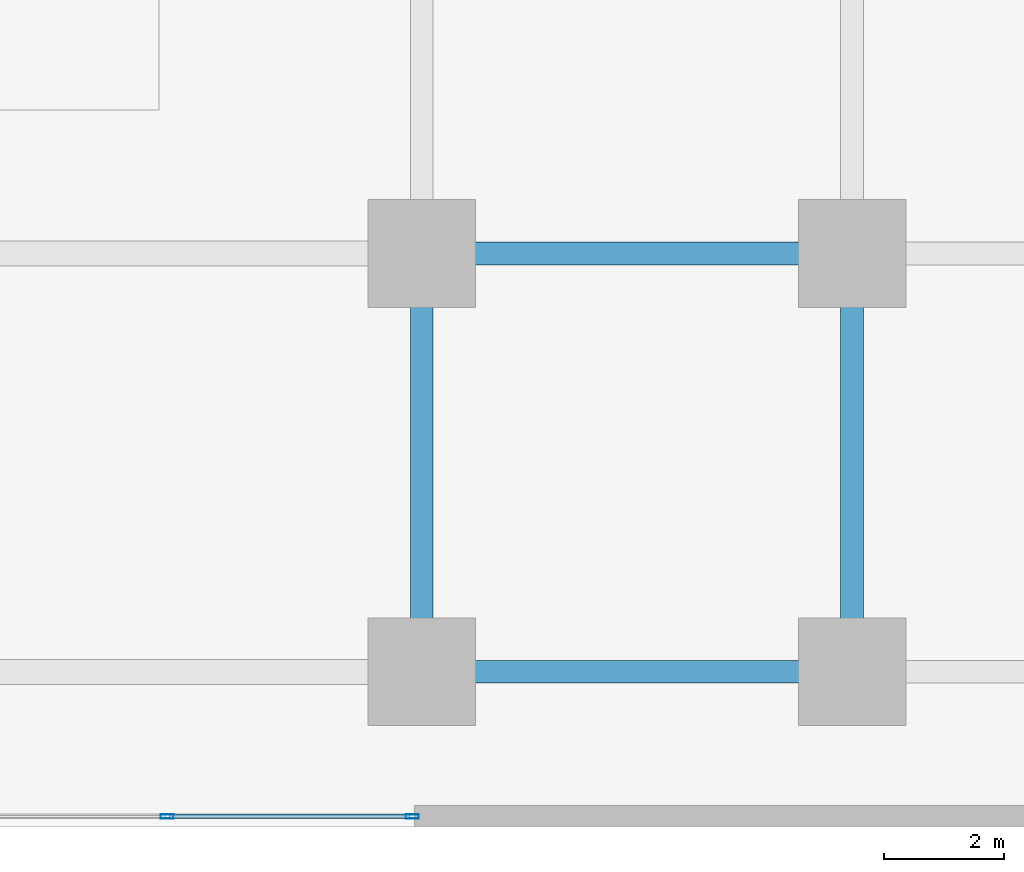
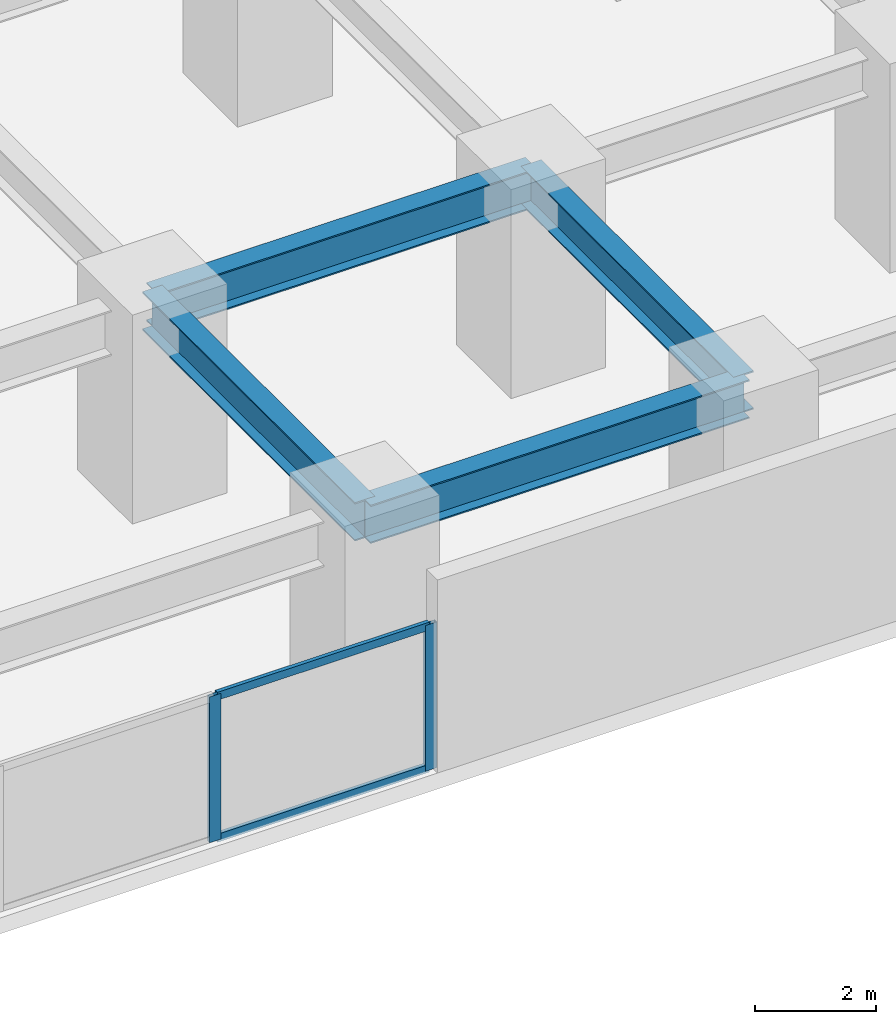
# One storey, part 4 of 22: 4 beams, 4 members, 1 element without a shape of its own.
"""IFC4 building model written with IfcOpenShell, lengths in metres."""

import ifcopenshell
import ifcopenshell.guid

model = None  # the IFC model being written
_history = None  # IfcOwnerHistory: only IFC2X3 demands one
_inside = {}  # id of a spatial element -> (the spatial element, [elements in it])
_under = {}  # id of a project, library or spatial element -> (it, [spatial elements below it])
_declared = {}  # id of a project -> (the project, [libraries it declares])
_typed = {}  # id of a type object -> (the type object, [elements of that type])
_made_of = {}  # id of a material, layer set ... -> (it, [elements and type objects made of it])


def new_model(schema):
    """Start an empty IFC model of exactly this schema.

    Asked for "IFC4X3", IfcOpenShell would pick the latest addendum, in which some entities
    have other attributes; the version numbers below select the first issue.
    IFC2X3 requires an IfcOwnerHistory on every rooted entity: one is made here for all.
    """
    global model, _history
    if schema == "IFC4X3":
        model = ifcopenshell.file(schema_version=(4, 3, 0, 0))
    else:
        model = ifcopenshell.file(schema=schema)
    _inside.clear()
    _under.clear()
    _declared.clear()
    _typed.clear()
    _made_of.clear()
    _history = None
    if model.schema == "IFC2X3":
        org = make("IfcOrganization", Name="unknown")
        user = make(
            "IfcPersonAndOrganization",
            ThePerson=make("IfcPerson", FamilyName="unknown"),
            TheOrganization=org,
        )
        app = make(
            "IfcApplication",
            ApplicationDeveloper=org,
            Version="unknown",
            ApplicationFullName="unknown",
            ApplicationIdentifier="unknown",
        )
        _history = make(
            "IfcOwnerHistory",
            OwningUser=user,
            OwningApplication=app,
            ChangeAction="ADDED",
            CreationDate=0,
        )
    return model


def make(cls, **values):
    """One entity of the class cls with the attributes given. An attribute that is None is left unset."""
    return model.create_entity(
        cls, **{name: value for name, value in values.items() if value is not None}
    )


def rooted(cls, **values):
    """An entity with a GlobalId (a new one), such as an element, a storey or a relation."""
    return make(cls, GlobalId=ifcopenshell.guid.new(), OwnerHistory=_history, **values)


def si_unit(unit_type, name, prefix=None):
    """IfcSIUnit, for example si_unit("LENGTHUNIT", "METRE", prefix="MILLI")."""
    return make("IfcSIUnit", UnitType=unit_type, Prefix=prefix, Name=name)


def assignment(units):
    """IfcUnitAssignment: the units of a project."""
    return None if units is None else make("IfcUnitAssignment", Units=units)


def point(xyz):
    """IfcCartesianPoint."""
    return None if xyz is None else make("IfcCartesianPoint", Coordinates=xyz)


def direction(xyz):
    """IfcDirection."""
    return None if xyz is None else make("IfcDirection", DirectionRatios=xyz)


def frame(location, z_axis=None, x_axis=None):
    """IfcAxis2Placement3D, a coordinate frame: its origin and axes. An axis left out is left unset."""
    return make(
        "IfcAxis2Placement3D",
        Location=point(location),
        Axis=direction(z_axis),
        RefDirection=direction(x_axis),
    )


def frame_2d(location, x_axis=None):
    """IfcAxis2Placement2D, a coordinate frame in the plane: its origin and x axis."""
    return make(
        "IfcAxis2Placement2D", Location=point(location), RefDirection=direction(x_axis)
    )


def origin():
    """The frame at (0, 0, 0) with its axes left unset."""
    return frame((0.0, 0.0, 0.0))


def origin_2d():
    """The frame at (0, 0) in the plane with its x axis left unset."""
    return frame_2d((0.0, 0.0))


def place(relative_to, where):
    """IfcLocalPlacement: puts the frame where relative to a parent placement (None: the world)."""
    return make(
        "IfcLocalPlacement", PlacementRelTo=relative_to, RelativePlacement=where
    )


def context(
    kind, dimensions, precision=None, world=None, true_north=None, identifier=None
):
    """IfcGeometricRepresentationContext, for example the 3D "Model" context."""
    return make(
        "IfcGeometricRepresentationContext",
        ContextIdentifier=identifier,
        ContextType=kind,
        CoordinateSpaceDimension=dimensions,
        Precision=precision,
        WorldCoordinateSystem=world,
        TrueNorth=true_north,
    )


def subcontext(parent, identifier, kind, view, scale=None):
    """IfcGeometricRepresentationSubContext, for example "Body" below "Model"."""
    return make(
        "IfcGeometricRepresentationSubContext",
        ContextIdentifier=identifier,
        ContextType=kind,
        ParentContext=parent,
        TargetScale=scale,
        TargetView=view,
    )


def project(units=None, contexts=None):
    """IfcProject with its units and contexts."""
    return rooted(
        "IfcProject",
        Name="project",
        RepresentationContexts=contexts,
        UnitsInContext=assignment(units),
    )


def spatial(cls, under=None, at=None, **own):
    """A site, building, storey or space (cls), placed at a placement, below another one or the project."""
    s = rooted(cls, ObjectPlacement=at, **own)
    if under is not None:
        _under.setdefault(under.id(), (under, []))[1].append(s)
    return s


def profile(cls, at=None, kind="AREA", **sizes):
    """A parametric profile (cls). Its sizes go by their IFC names, for example OverallWidth=200.0."""
    return make(cls, ProfileType=kind, Position=at, **sizes)


def hollow_rectangle(**sizes):
    """IfcRectangleHollowProfileDef."""
    return profile("IfcRectangleHollowProfileDef", **sizes)


def i_section(**sizes):
    """IfcIShapeProfileDef."""
    return profile("IfcIShapeProfileDef", **sizes)


def extrude(swept, where, along, depth):
    """IfcExtrudedAreaSolid: the profile swept, set in the frame where, extruded along a direction by depth."""
    return make(
        "IfcExtrudedAreaSolid",
        SweptArea=swept,
        Position=where,
        ExtrudedDirection=direction(along),
        Depth=depth,
    )


def shape(context_of_items, identifier, shape_type, items):
    """IfcShapeRepresentation: the items that make up one representation, for example the "Body"."""
    return make(
        "IfcShapeRepresentation",
        ContextOfItems=context_of_items,
        RepresentationIdentifier=identifier,
        RepresentationType=shape_type,
        Items=items,
    )


def material(Name=None, Category=None):
    """IfcMaterial."""
    return make("IfcMaterial", Name=Name, Category=Category)


def layer(
    of_material, thickness, ventilated=None, Name=None, Category=None, Priority=None
):
    """IfcMaterialLayer: one layer of a wall or slab, of a material (None: an air gap)."""
    return make(
        "IfcMaterialLayer",
        Material=of_material,
        LayerThickness=thickness,
        IsVentilated=ventilated,
        Name=Name,
        Category=Category,
        Priority=Priority,
    )


def layer_set(layers, Name=None):
    """IfcMaterialLayerSet."""
    return make("IfcMaterialLayerSet", MaterialLayers=layers, LayerSetName=Name)


def material_profile(
    of_material, cross_section, Name=None, Category=None, Priority=None
):
    """IfcMaterialProfile: a cross section and its material."""
    return make(
        "IfcMaterialProfile",
        Name=Name,
        Material=of_material,
        Profile=cross_section,
        Priority=Priority,
        Category=Category,
    )


def profile_set(profiles, Name=None, composite=None):
    """IfcMaterialProfileSet."""
    return make(
        "IfcMaterialProfileSet",
        Name=Name,
        MaterialProfiles=profiles,
        CompositeProfile=composite,
    )


def made_of(thing, what):
    """Note that an element or type object is made of a material, layer set ...; save() writes the relation."""
    if what is not None:
        _made_of.setdefault(what.id(), (what, []))[1].append(thing)
    return thing


def type_object(cls, material=None, **own):
    """A type object (cls), such as IfcWallType, which elements share."""
    return made_of(rooted(cls, **own), material)


def element(
    cls,
    number,
    at=None,
    inside=None,
    cuts=None,
    type_object=None,
    material=None,
    context=None,
    identifier="Body",
    shape_type=None,
    held_by="IfcProductDefinitionShape",
    body=None,
    shapes=None,
    **own,
):
    """One element of the class cls, such as IfcWall. Its Tag is "e" and its number.

    at: its placement. inside: the storey or other place that contains it. cuts: it is an
    opening in that element (IfcRelVoidsElement). A single representation is given by context,
    identifier, shape_type and body (its items); several are given by shapes. held_by: the class
    of the entity that holds the representations. save() writes the other relations.
    """
    e = rooted(cls, Tag="e%d" % number, ObjectPlacement=at, **own)
    if body is not None:
        shapes = [shape(context, identifier, shape_type, body)]
    if shapes is not None:
        e.Representation = make(held_by, Representations=shapes)
    if inside is not None:
        _inside.setdefault(inside.id(), (inside, []))[1].append(e)
    if cuts is not None:
        rooted(
            "IfcRelVoidsElement", RelatingBuildingElement=cuts, RelatedOpeningElement=e
        )
    if type_object is not None:
        _typed.setdefault(type_object.id(), (type_object, []))[1].append(e)
    return made_of(e, material)


def aggregate(whole, parts):
    """IfcRelAggregates: a whole, such as a stair, and the parts it consists of."""
    return rooted("IfcRelAggregates", RelatingObject=whole, RelatedObjects=parts)


def save(model, path):
    """Write the relations noted so far, then the file.

    IfcRelAggregates (storeys below a building ...), IfcRelContainedInSpatialStructure (elements
    in a storey), IfcRelDefinesByType, IfcRelAssociatesMaterial and IfcRelDeclares: one each for
    every whole, place, type object, material and project.
    """
    for whole, parts in _under.values():
        aggregate(whole, parts)
    for where, things in _inside.values():
        rooted(
            "IfcRelContainedInSpatialStructure",
            RelatedElements=things,
            RelatingStructure=where,
        )
    for kind, things in _typed.values():
        rooted("IfcRelDefinesByType", RelatedObjects=things, RelatingType=kind)
    for what, things in _made_of.values():
        rooted("IfcRelAssociatesMaterial", RelatedObjects=things, RelatingMaterial=what)
    for by, libraries in _declared.values():
        rooted("IfcRelDeclares", RelatingContext=by, RelatedDefinitions=libraries)
    model.write(path)


model = new_model("IFC4")

# Units and contexts
model_context = context("Model", 3, precision=1e-05, world=origin(), true_north=direction((0.0, 1.0)))
body_context = subcontext(model_context, "Body", "Model", "MODEL_VIEW")
ifc_project = project(units=[si_unit("LENGTHUNIT", "METRE"), si_unit("AREAUNIT", "SQUARE_METRE"), si_unit("VOLUMEUNIT", "CUBIC_METRE"), si_unit("PLANEANGLEUNIT", "RADIAN"), si_unit("MASSUNIT", "GRAM", prefix="KILO")], contexts=[model_context])

# Site, building, storey
site_placement = place(None, origin())
site = spatial("IfcSite", under=ifc_project, at=site_placement, CompositionType="ELEMENT")
building_placement = place(site_placement, origin())
building = spatial("IfcBuilding", under=site, at=building_placement, Name="Kiyonajd Concourse Tower", CompositionType="ELEMENT")
storey_placement = place(building_placement, frame((0.0, 0.0, 8.699951171875)))
storey = spatial("IfcBuildingStorey", under=building, at=storey_placement, Name="L03", CompositionType="ELEMENT", Elevation=8.699951171875)

# Beams
ifc_material_1 = material(Name="Steel ASTM A992 Grade 50", Category="steel")
ifc_material_profile_1 = material_profile(ifc_material_1, i_section(OverallWidth=0.381103515625, OverallDepth=0.77294921875, WebThickness=0.0166015625, FlangeThickness=0.027099609375, at=origin_2d()), Name="W760X257")
ifc_profile_set_1 = profile_set([ifc_material_profile_1], Name="Steel ASTM A992 Grade 50")
beam_type = type_object("IfcBeamType", Name="BM-POD-760", PredefinedType="BEAM", material=ifc_profile_set_1)
for number, where, z_axis, x_axis, name in (
    (1, (56.39990234375, 2.60009765625, 3.49365234375), (1.0, 0.0, 0.0), (0.0, 1.0, 0.0), "L03 Podium Primary Beam"),
    (2, (56.39990234375, 9.60009765625, 3.49365234375), (1.0, 0.0, 0.0), (0.0, 1.0, 0.0), "L03 Podium Primary Beam"),
):
    element("IfcBeam", number, at=place(storey_placement, frame(where, z_axis=z_axis, x_axis=x_axis)), inside=storey, type_object=beam_type, Name=name, PredefinedType="BEAM", context=body_context, shape_type="SweptSolid", body=[
        extrude(i_section(OverallWidth=0.381103515625, OverallDepth=0.77294921875, WebThickness=0.0166015625, FlangeThickness=0.027099609375, at=origin_2d()), origin(), (0.0, 0.0, 1.0), 7.2001953125),
    ])
for number, where, z_axis, x_axis, name in (
    (3, (56.39990234375, 2.60009765625, 3.49365234375), (0.0, 1.0, 0.0), (-1.0, 0.0, 0.0), "L03 Podium North South Beam"),
    (4, (63.60009765625, 2.60009765625, 3.49365234375), (0.0, 1.0, 0.0), (-1.0, 0.0, 0.0), "L03 Podium North South Beam"),
):
    element("IfcBeam", number, at=place(storey_placement, frame(where, z_axis=z_axis, x_axis=x_axis)), inside=storey, type_object=beam_type, Name=name, PredefinedType="BEAM", context=body_context, shape_type="SweptSolid", body=[
        extrude(i_section(OverallWidth=0.381103515625, OverallDepth=0.77294921875, WebThickness=0.0166015625, FlangeThickness=0.027099609375, at=origin_2d()), origin(), (0.0, 0.0, 1.0), 7.0),
    ])

# Curtain wall, members
ifc_material_2 = material(Name="Thermally Broken Anodised Aluminium", Category="aluminium")
ifc_layer = layer(ifc_material_2, 0.179931640625)
ifc_layer_set = layer_set([ifc_layer], Name="Thermally Broken Anodised Aluminium")
curtain_wall_type = type_object("IfcCurtainWallType", Name="CW-SYS-01", PredefinedType="NOTDEFINED", material=ifc_layer_set)
curtain_wall_placement = place(storey_placement, origin())
curtain_wall = element("IfcCurtainWall", 5, at=curtain_wall_placement, inside=storey, type_object=curtain_wall_type, Name="L03 Unitised Curtain Wall CW1", PredefinedType="NOTDEFINED")
ifc_material_profile_2 = material_profile(ifc_material_2, hollow_rectangle(XDim=0.074951171875, YDim=0.219970703125, WallThickness=0.0048828125, at=origin_2d()), Name="MULL-75x220")
ifc_profile_set_2 = profile_set([ifc_material_profile_2], Name="Thermally Broken Anodised Aluminium")
member_type_1 = type_object("IfcMemberType", Name="MB-CW-MULL2", PredefinedType="MULLION", material=ifc_profile_set_2)
member_1_placement = place(storey_placement, frame((56.242431640625, 0.179931640625, 0.0), z_axis=(0.0, 0.0, 1.0), x_axis=(0.0, -1.0, 0.0)))
member_1 = element("IfcMember", 6, at=member_1_placement, type_object=member_type_1, Name="CW1 mullion 1", PredefinedType="MULLION", context=body_context, shape_type="SweptSolid", body=[
    extrude(hollow_rectangle(XDim=0.074951171875, YDim=0.219970703125, WallThickness=0.0048828125, at=origin_2d()), origin(), (0.0, 0.0, 1.0), 2.929931640625),
])
member_2_placement = place(storey_placement, frame((52.139892578125, 0.179931640625, 0.0), z_axis=(0.0, 0.0, 1.0), x_axis=(0.0, -1.0, 0.0)))
member_2 = element("IfcMember", 7, at=member_2_placement, type_object=member_type_1, Name="CW1 mullion 2", PredefinedType="MULLION", context=body_context, shape_type="SweptSolid", body=[
    extrude(hollow_rectangle(XDim=0.074951171875, YDim=0.219970703125, WallThickness=0.0048828125, at=origin_2d()), origin(), (0.0, 0.0, 1.0), 2.929931640625),
])
ifc_material_profile_3 = material_profile(ifc_material_2, hollow_rectangle(XDim=0.074951171875, YDim=0.159912109375, WallThickness=0.0048828125, at=origin_2d()), Name="TRAN-75x160")
ifc_profile_set_3 = profile_set([ifc_material_profile_3], Name="Thermally Broken Anodised Aluminium")
member_type_2 = type_object("IfcMemberType", Name="MB-CW-TRAN2", PredefinedType="USERDEFINED", material=ifc_profile_set_3)
member_3_placement = place(storey_placement, frame((56.205078125, 0.179931640625, 0.03759765625), z_axis=(-1.0, 0.0, 0.0), x_axis=(0.0, -1.0, 0.0)))
member_3 = element("IfcMember", 8, at=member_3_placement, type_object=member_type_2, Name="CW1 transom 1.1", ObjectType="TRANSOM", PredefinedType="USERDEFINED", context=body_context, shape_type="SweptSolid", body=[
    extrude(hollow_rectangle(XDim=0.074951171875, YDim=0.159912109375, WallThickness=0.0048828125, at=origin_2d()), origin(), (0.0, 0.0, 1.0), 4.027587890625),
])
member_4_placement = place(storey_placement, frame((56.205078125, 0.179931640625, 2.892578125), z_axis=(-1.0, 0.0, 0.0), x_axis=(0.0, -1.0, 0.0)))
member_4 = element("IfcMember", 9, at=member_4_placement, type_object=member_type_2, Name="CW1 transom 1.2", ObjectType="TRANSOM", PredefinedType="USERDEFINED", context=body_context, shape_type="SweptSolid", body=[
    extrude(hollow_rectangle(XDim=0.074951171875, YDim=0.159912109375, WallThickness=0.0048828125, at=origin_2d()), origin(), (0.0, 0.0, 1.0), 4.027587890625),
])
aggregate(curtain_wall, [member_1, member_2, member_3, member_4])

save(model, "model.ifc")
